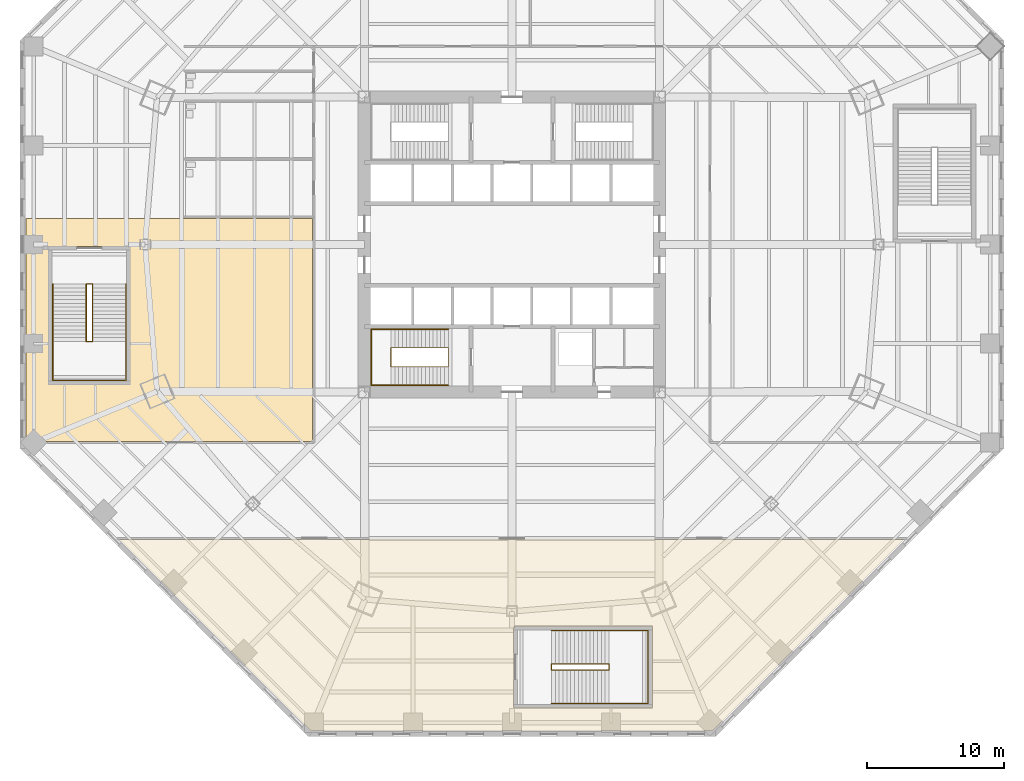
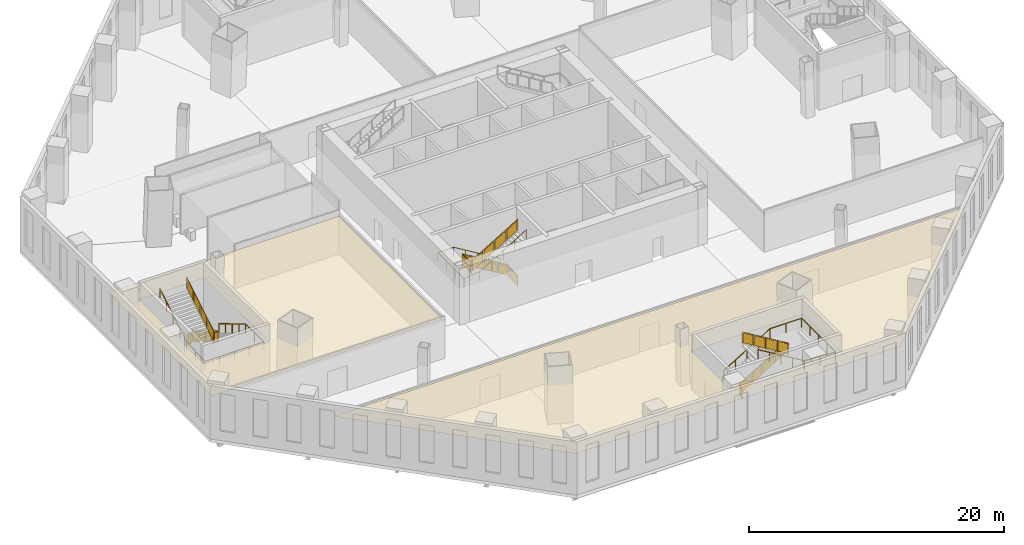
# One storey, part 15 of 18: 6 railings, 2 coverings.
"""IFC4 building model written with IfcOpenShell, lengths in metres."""

from ifc_helpers import new_model, si_unit, direction, frame, origin, origin_2d, place, context, subcontext, project, spatial, polyline, circle, outline, extrude, material, layer, layer_set, type_object, element, save


model = new_model("IFC4")

# Units and contexts
model_context = context("Model", 3, precision=1e-05, world=origin(), true_north=direction((0.0, 1.0)))
body_context = subcontext(model_context, "Body", "Model", "MODEL_VIEW")
ifc_project = project(units=[si_unit("LENGTHUNIT", "METRE"), si_unit("AREAUNIT", "SQUARE_METRE"), si_unit("VOLUMEUNIT", "CUBIC_METRE"), si_unit("PLANEANGLEUNIT", "RADIAN"), si_unit("MASSUNIT", "GRAM", prefix="KILO")], contexts=[model_context])

# Site, building, storey
site_placement = place(None, origin())
site = spatial("IfcSite", under=ifc_project, at=site_placement, CompositionType="ELEMENT")
building_placement = place(site_placement, origin())
building = spatial("IfcBuilding", under=site, at=building_placement, Name="Mashrafa Tower", CompositionType="ELEMENT")
storey_placement = place(building_placement, frame((0.0, 0.0, 13.199951171875)))
storey = spatial("IfcBuildingStorey", under=building, at=storey_placement, Name="L02", CompositionType="ELEMENT", Elevation=13.199951171875)

# Railings
ifc_material_1 = material(Name="Steel guard with glass infill", Category="steel")
railing_type_1 = type_object("IfcRailingType", Name="Stair guard 1100", PredefinedType="GUARDRAIL", material=ifc_material_1)
railing_1_placement = place(storey_placement, frame((-4.64990234375, -8.949951171875, 0.0)))
element("IfcRailing", 1, at=railing_1_placement, inside=storey, type_object=railing_type_1, Name="Stair S3 guard L02", PredefinedType="GUARDRAIL", context=body_context, shape_type="SweptSolid", body=[
    extrude(circle(Radius=0.02392578125, at=origin_2d()), frame((0.0, 0.0, 1.076171875), z_axis=(0.0, 1.0, 0.0), x_axis=(-1.0, 0.0, 0.0)), (0.0, 0.0, 1.0), 1.39990234375),
    extrude(circle(Radius=0.02392578125, at=origin_2d()), frame((0.0, 1.39990234375, 1.076171875), z_axis=(0.0, 0.0, 1.0), x_axis=(1.0, 0.0, 0.0)), (0.0, 0.0, 1.0), 0.168701171875),
    extrude(circle(Radius=0.02392578125, at=origin_2d()), frame((0.0, 1.39990234375, 1.24462890625), z_axis=(-0.856489757249, 0.0, 0.516164020179), x_axis=(0.0, -1.0, 0.0)), (0.0, 0.0, 1.0), 4.904052734375),
    extrude(circle(Radius=0.02392578125, at=origin_2d()), frame((-4.2001953125, 1.39990234375, 3.77587890625), z_axis=(0.0, -1.0, 0.0), x_axis=(1.0, 0.0, 0.0)), (0.0, 0.0, 1.0), 1.39990234375),
    extrude(circle(Radius=0.02392578125, at=origin_2d()), frame((-4.2001953125, 0.0, 3.77587890625), z_axis=(0.0, 0.0, 1.0), x_axis=(1.0, 0.0, 0.0)), (0.0, 0.0, 1.0), 0.168701171875),
    extrude(circle(Radius=0.02392578125, at=origin_2d()), frame((-4.2001953125, 0.0, 3.94482421875), z_axis=(0.856467747918, 0.0, 0.516200539303), x_axis=(0.0, 1.0, 0.0)), (0.0, 0.0, 1.0), 4.904052734375),
    extrude(circle(Radius=0.02099609375, at=origin_2d()), origin(), (0.0, 0.0, 1.0), 1.052001953125),
    extrude(circle(Radius=0.02099609375, at=origin_2d()), frame((0.0, 1.39990234375, 0.0)), (0.0, 0.0, 1.0), 1.052001953125),
    extrude(circle(Radius=0.02099609375, at=origin_2d()), frame((0.0, 1.39990234375, 0.168701171875)), (0.0, 0.0, 1.0), 1.052001953125),
    extrude(circle(Radius=0.02099609375, at=origin_2d()), frame((-1.050048828125, 1.39990234375, 0.801513671875)), (0.0, 0.0, 1.0), 1.052001953125),
    extrude(circle(Radius=0.02099609375, at=origin_2d()), frame((-2.10009765625, 1.39990234375, 1.434326171875)), (0.0, 0.0, 1.0), 1.052001953125),
    extrude(circle(Radius=0.02099609375, at=origin_2d()), frame((-3.150146484375, 1.39990234375, 2.067138671875)), (0.0, 0.0, 1.0), 1.052001953125),
    extrude(circle(Radius=0.02099609375, at=origin_2d()), frame((-4.2001953125, 1.39990234375, 2.699951171875)), (0.0, 0.0, 1.0), 1.052001953125),
    extrude(circle(Radius=0.02099609375, at=origin_2d()), frame((-4.2001953125, 0.0, 2.699951171875)), (0.0, 0.0, 1.0), 1.052001953125),
    extrude(circle(Radius=0.02099609375, at=origin_2d()), frame((-4.2001953125, 0.0, 2.86865234375)), (0.0, 0.0, 1.0), 1.052001953125),
    extrude(circle(Radius=0.02099609375, at=origin_2d()), frame((-3.150146484375, 0.0, 3.50146484375)), (0.0, 0.0, 1.0), 1.052001953125),
    extrude(circle(Radius=0.02099609375, at=origin_2d()), frame((-2.10009765625, 0.0, 4.13427734375)), (0.0, 0.0, 1.0), 1.052001953125),
    extrude(circle(Radius=0.02099609375, at=origin_2d()), frame((-1.050048828125, 0.0, 4.767333984375)), (0.0, 0.0, 1.0), 1.052001953125),
    extrude(circle(Radius=0.02099609375, at=origin_2d()), frame((0.0, 0.0, 5.400146484375)), (0.0, 0.0, 1.0), 1.052001953125),
    extrude(outline(polyline([(0.071044921875, 0.050048828125), (1.328857421875, 0.050048828125), (1.328857421875, 1.001953125), (0.071044921875, 1.001953125), (0.071044921875, 0.050048828125)])), frame((0.006103515625, 0.0, 0.0), z_axis=(1.0, 0.0, 0.0), x_axis=(0.0, 1.0, 0.0)), (0.0, 0.0, 1.0), 0.011962890625),
    extrude(outline(polyline([(0.071044921875, 0.0927734375), (0.97900390625, 0.64013671875), (0.97900390625, 1.592041015625), (0.071044921875, 1.044677734375), (0.071044921875, 0.0927734375)])), frame((0.0, 1.406005859375, 0.168701171875), z_axis=(0.0, 1.0, 0.0), x_axis=(-1.0, 0.0, 0.0)), (0.0, 0.0, 1.0), 0.011962890625),
    extrude(outline(polyline([(1.12109375, 0.7255859375), (2.029052734375, 1.27294921875), (2.029052734375, 2.224853515625), (1.12109375, 1.677490234375), (1.12109375, 0.7255859375)])), frame((0.0, 1.406005859375, 0.168701171875), z_axis=(0.0, 1.0, 0.0), x_axis=(-1.0, 0.0, 0.0)), (0.0, 0.0, 1.0), 0.011962890625),
    extrude(outline(polyline([(2.171142578125, 1.3583984375), (3.0791015625, 1.90576171875), (3.0791015625, 2.857666015625), (2.171142578125, 2.310302734375), (2.171142578125, 1.3583984375)])), frame((0.0, 1.406005859375, 0.168701171875), z_axis=(0.0, 1.0, 0.0), x_axis=(-1.0, 0.0, 0.0)), (0.0, 0.0, 1.0), 0.011962890625),
    extrude(outline(polyline([(3.22119140625, 1.9912109375), (4.129150390625, 2.53857421875), (4.129150390625, 3.490478515625), (3.22119140625, 2.943115234375), (3.22119140625, 1.9912109375)])), frame((0.0, 1.406005859375, 0.168701171875), z_axis=(0.0, 1.0, 0.0), x_axis=(-1.0, 0.0, 0.0)), (0.0, 0.0, 1.0), 0.011962890625),
    extrude(outline(polyline([(0.071044921875, 0.050048828125), (1.328857421875, 0.050048828125), (1.328857421875, 1.001953125), (0.071044921875, 1.001953125), (0.071044921875, 0.050048828125)])), frame((-4.206298828125, 1.39990234375, 2.699951171875), z_axis=(-1.0, 0.0, 0.0), x_axis=(0.0, -1.0, 0.0)), (0.0, 0.0, 1.0), 0.011962890625),
    extrude(outline(polyline([(0.071044921875, 0.0927734375), (0.97900390625, 0.64013671875), (0.97900390625, 1.592041015625), (0.071044921875, 1.044677734375), (0.071044921875, 0.0927734375)])), frame((-4.2001953125, -0.006103515625, 2.86865234375), z_axis=(0.0, -1.0, 0.0), x_axis=(1.0, 0.0, 0.0)), (0.0, 0.0, 1.0), 0.011962890625),
    extrude(outline(polyline([(1.12109375, 0.7255859375), (2.029052734375, 1.27294921875), (2.029052734375, 2.224853515625), (1.12109375, 1.677734375), (1.12109375, 0.7255859375)])), frame((-4.2001953125, -0.006103515625, 2.86865234375), z_axis=(0.0, -1.0, 0.0), x_axis=(1.0, 0.0, 0.0)), (0.0, 0.0, 1.0), 0.011962890625),
    extrude(outline(polyline([(2.171142578125, 1.358642578125), (3.0791015625, 1.90576171875), (3.0791015625, 2.85791015625), (2.171142578125, 2.310546875), (2.171142578125, 1.358642578125)])), frame((-4.2001953125, -0.006103515625, 2.86865234375), z_axis=(0.0, -1.0, 0.0), x_axis=(1.0, 0.0, 0.0)), (0.0, 0.0, 1.0), 0.011962890625),
    extrude(outline(polyline([(3.22119140625, 1.991455078125), (4.129150390625, 2.538818359375), (4.129150390625, 3.49072265625), (3.22119140625, 2.943359375), (3.22119140625, 1.991455078125)])), frame((-4.2001953125, -0.006103515625, 2.86865234375), z_axis=(0.0, -1.0, 0.0), x_axis=(1.0, 0.0, 0.0)), (0.0, 0.0, 1.0), 0.011962890625),
])
railing_2_placement = place(storey_placement, frame((-31.14990234375, -2.89990234375, 0.0)))
element("IfcRailing", 2, at=railing_2_placement, inside=storey, type_object=railing_type_1, Name="Stair P3 guard L02", PredefinedType="GUARDRAIL", context=body_context, shape_type="SweptSolid", body=[
    extrude(circle(Radius=0.02392578125, at=origin_2d()), frame((0.0, 0.0, 1.076171875), z_axis=(1.0, 0.0, 0.0), x_axis=(0.0, 1.0, 0.0)), (0.0, 0.0, 1.0), 0.449951171875),
    extrude(circle(Radius=0.02392578125, at=origin_2d()), frame((0.449951171875, 0.0, 1.076171875), z_axis=(0.0, 0.0, 1.0), x_axis=(1.0, 0.0, 0.0)), (0.0, 0.0, 1.0), 0.168701171875),
    extrude(circle(Radius=0.02392578125, at=origin_2d()), frame((0.449951171875, 0.0, 1.24462890625), z_axis=(0.0, -0.856489757249, 0.516164020179), x_axis=(1.0, 0.0, 0.0)), (0.0, 0.0, 1.0), 4.904052734375),
    extrude(circle(Radius=0.02392578125, at=origin_2d()), frame((0.449951171875, -4.2001953125, 3.77587890625), z_axis=(-1.0, 0.0, 0.0), x_axis=(0.0, -1.0, 0.0)), (0.0, 0.0, 1.0), 0.449951171875),
    extrude(circle(Radius=0.02392578125, at=origin_2d()), frame((0.0, -4.2001953125, 3.77587890625), z_axis=(0.0, 0.0, 1.0), x_axis=(1.0, 0.0, 0.0)), (0.0, 0.0, 1.0), 0.168701171875),
    extrude(circle(Radius=0.02392578125, at=origin_2d()), frame((0.0, -4.2001953125, 3.94482421875), z_axis=(0.0, 0.856467747918, 0.516200539303), x_axis=(-1.0, 0.0, 0.0)), (0.0, 0.0, 1.0), 4.904052734375),
    extrude(circle(Radius=0.02099609375, at=origin_2d()), origin(), (0.0, 0.0, 1.0), 1.052001953125),
    extrude(circle(Radius=0.02099609375, at=origin_2d()), frame((0.449951171875, 0.0, 0.0)), (0.0, 0.0, 1.0), 1.052001953125),
    extrude(circle(Radius=0.02099609375, at=origin_2d()), frame((0.449951171875, 0.0, 0.168701171875)), (0.0, 0.0, 1.0), 1.052001953125),
    extrude(circle(Radius=0.02099609375, at=origin_2d()), frame((0.449951171875, -1.050048828125, 0.801513671875)), (0.0, 0.0, 1.0), 1.052001953125),
    extrude(circle(Radius=0.02099609375, at=origin_2d()), frame((0.449951171875, -2.10009765625, 1.434326171875)), (0.0, 0.0, 1.0), 1.052001953125),
    extrude(circle(Radius=0.02099609375, at=origin_2d()), frame((0.449951171875, -3.150146484375, 2.067138671875)), (0.0, 0.0, 1.0), 1.052001953125),
    extrude(circle(Radius=0.02099609375, at=origin_2d()), frame((0.449951171875, -4.2001953125, 2.699951171875)), (0.0, 0.0, 1.0), 1.052001953125),
    extrude(circle(Radius=0.02099609375, at=origin_2d()), frame((0.0, -4.2001953125, 2.699951171875)), (0.0, 0.0, 1.0), 1.052001953125),
    extrude(circle(Radius=0.02099609375, at=origin_2d()), frame((0.0, -4.2001953125, 2.86865234375)), (0.0, 0.0, 1.0), 1.052001953125),
    extrude(circle(Radius=0.02099609375, at=origin_2d()), frame((0.0, -3.150146484375, 3.50146484375)), (0.0, 0.0, 1.0), 1.052001953125),
    extrude(circle(Radius=0.02099609375, at=origin_2d()), frame((0.0, -2.10009765625, 4.13427734375)), (0.0, 0.0, 1.0), 1.052001953125),
    extrude(circle(Radius=0.02099609375, at=origin_2d()), frame((0.0, -1.050048828125, 4.767333984375)), (0.0, 0.0, 1.0), 1.052001953125),
    extrude(circle(Radius=0.02099609375, at=origin_2d()), frame((0.0, 0.0, 5.400146484375)), (0.0, 0.0, 1.0), 1.052001953125),
    extrude(outline(polyline([(0.071044921875, 0.050048828125), (0.37890625, 0.050048828125), (0.37890625, 1.001953125), (0.071044921875, 1.001953125), (0.071044921875, 0.050048828125)])), frame((0.0, -0.006103515625, 0.0), z_axis=(0.0, -1.0, 0.0), x_axis=(1.0, 0.0, 0.0)), (0.0, 0.0, 1.0), 0.011962890625),
    extrude(outline(polyline([(0.071044921875, 0.0927734375), (0.97900390625, 0.64013671875), (0.97900390625, 1.592041015625), (0.071044921875, 1.044677734375), (0.071044921875, 0.0927734375)])), frame((0.44384765625, 0.0, 0.168701171875), z_axis=(-1.0, 0.0, 0.0), x_axis=(0.0, -1.0, 0.0)), (0.0, 0.0, 1.0), 0.011962890625),
    extrude(outline(polyline([(1.12109375, 0.7255859375), (2.029052734375, 1.27294921875), (2.029052734375, 2.224853515625), (1.12109375, 1.677490234375), (1.12109375, 0.7255859375)])), frame((0.44384765625, 0.0, 0.168701171875), z_axis=(-1.0, 0.0, 0.0), x_axis=(0.0, -1.0, 0.0)), (0.0, 0.0, 1.0), 0.011962890625),
    extrude(outline(polyline([(2.171142578125, 1.3583984375), (3.0791015625, 1.90576171875), (3.0791015625, 2.857666015625), (2.171142578125, 2.310302734375), (2.171142578125, 1.3583984375)])), frame((0.44384765625, 0.0, 0.168701171875), z_axis=(-1.0, 0.0, 0.0), x_axis=(0.0, -1.0, 0.0)), (0.0, 0.0, 1.0), 0.011962890625),
    extrude(outline(polyline([(3.22119140625, 1.9912109375), (4.129150390625, 2.53857421875), (4.129150390625, 3.490478515625), (3.22119140625, 2.943115234375), (3.22119140625, 1.9912109375)])), frame((0.44384765625, 0.0, 0.168701171875), z_axis=(-1.0, 0.0, 0.0), x_axis=(0.0, -1.0, 0.0)), (0.0, 0.0, 1.0), 0.011962890625),
    extrude(outline(polyline([(0.071044921875, 0.050048828125), (0.37890625, 0.050048828125), (0.37890625, 1.001953125), (0.071044921875, 1.001953125), (0.071044921875, 0.050048828125)])), frame((0.449951171875, -4.194091796875, 2.699951171875), z_axis=(0.0, 1.0, 0.0), x_axis=(-1.0, 0.0, 0.0)), (0.0, 0.0, 1.0), 0.011962890625),
    extrude(outline(polyline([(0.071044921875, 0.0927734375), (0.97900390625, 0.64013671875), (0.97900390625, 1.592041015625), (0.071044921875, 1.044677734375), (0.071044921875, 0.0927734375)])), frame((0.006103515625, -4.2001953125, 2.86865234375), z_axis=(1.0, 0.0, 0.0), x_axis=(0.0, 1.0, 0.0)), (0.0, 0.0, 1.0), 0.011962890625),
    extrude(outline(polyline([(1.12109375, 0.7255859375), (2.029052734375, 1.27294921875), (2.029052734375, 2.224853515625), (1.12109375, 1.677734375), (1.12109375, 0.7255859375)])), frame((0.006103515625, -4.2001953125, 2.86865234375), z_axis=(1.0, 0.0, 0.0), x_axis=(0.0, 1.0, 0.0)), (0.0, 0.0, 1.0), 0.011962890625),
    extrude(outline(polyline([(2.171142578125, 1.358642578125), (3.0791015625, 1.90576171875), (3.0791015625, 2.85791015625), (2.171142578125, 2.310546875), (2.171142578125, 1.358642578125)])), frame((0.006103515625, -4.2001953125, 2.86865234375), z_axis=(1.0, 0.0, 0.0), x_axis=(0.0, 1.0, 0.0)), (0.0, 0.0, 1.0), 0.011962890625),
    extrude(outline(polyline([(3.22119140625, 1.991455078125), (4.129150390625, 2.538818359375), (4.129150390625, 3.49072265625), (3.22119140625, 2.943359375), (3.22119140625, 1.991455078125)])), frame((0.006103515625, -4.2001953125, 2.86865234375), z_axis=(1.0, 0.0, 0.0), x_axis=(0.0, 1.0, 0.0)), (0.0, 0.0, 1.0), 0.011962890625),
])
railing_3_placement = place(storey_placement, frame((2.89990234375, -31.14990234375, 0.0)))
element("IfcRailing", 3, at=railing_3_placement, inside=storey, type_object=railing_type_1, Name="Stair P4 guard L02", PredefinedType="GUARDRAIL", context=body_context, shape_type="SweptSolid", body=[
    extrude(circle(Radius=0.02392578125, at=origin_2d()), frame((0.0, 0.0, 1.076171875), z_axis=(0.0, 1.0, 0.0), x_axis=(-1.0, 0.0, 0.0)), (0.0, 0.0, 1.0), 0.449951171875),
    extrude(circle(Radius=0.02392578125, at=origin_2d()), frame((0.0, 0.449951171875, 1.076171875), z_axis=(0.0, 0.0, 1.0), x_axis=(1.0, 0.0, 0.0)), (0.0, 0.0, 1.0), 0.168701171875),
    extrude(circle(Radius=0.02392578125, at=origin_2d()), frame((0.0, 0.449951171875, 1.24462890625), z_axis=(0.856489757249, 0.0, 0.516164020179), x_axis=(0.0, 1.0, 0.0)), (0.0, 0.0, 1.0), 4.904052734375),
    extrude(circle(Radius=0.02392578125, at=origin_2d()), frame((4.2001953125, 0.449951171875, 3.77587890625), z_axis=(0.0, -1.0, 0.0), x_axis=(1.0, 0.0, 0.0)), (0.0, 0.0, 1.0), 0.449951171875),
    extrude(circle(Radius=0.02392578125, at=origin_2d()), frame((4.2001953125, 0.0, 3.77587890625), z_axis=(0.0, 0.0, 1.0), x_axis=(1.0, 0.0, 0.0)), (0.0, 0.0, 1.0), 0.168701171875),
    extrude(circle(Radius=0.02392578125, at=origin_2d()), frame((4.2001953125, 0.0, 3.94482421875), z_axis=(-0.856467747918, 0.0, 0.516200539303), x_axis=(0.0, -1.0, 0.0)), (0.0, 0.0, 1.0), 4.904052734375),
    extrude(circle(Radius=0.02099609375, at=origin_2d()), origin(), (0.0, 0.0, 1.0), 1.052001953125),
    extrude(circle(Radius=0.02099609375, at=origin_2d()), frame((0.0, 0.449951171875, 0.0)), (0.0, 0.0, 1.0), 1.052001953125),
    extrude(circle(Radius=0.02099609375, at=origin_2d()), frame((0.0, 0.449951171875, 0.168701171875)), (0.0, 0.0, 1.0), 1.052001953125),
    extrude(circle(Radius=0.02099609375, at=origin_2d()), frame((1.050048828125, 0.449951171875, 0.801513671875)), (0.0, 0.0, 1.0), 1.052001953125),
    extrude(circle(Radius=0.02099609375, at=origin_2d()), frame((2.10009765625, 0.449951171875, 1.434326171875)), (0.0, 0.0, 1.0), 1.052001953125),
    extrude(circle(Radius=0.02099609375, at=origin_2d()), frame((3.150146484375, 0.449951171875, 2.067138671875)), (0.0, 0.0, 1.0), 1.052001953125),
    extrude(circle(Radius=0.02099609375, at=origin_2d()), frame((4.2001953125, 0.449951171875, 2.699951171875)), (0.0, 0.0, 1.0), 1.052001953125),
    extrude(circle(Radius=0.02099609375, at=origin_2d()), frame((4.2001953125, 0.0, 2.699951171875)), (0.0, 0.0, 1.0), 1.052001953125),
    extrude(circle(Radius=0.02099609375, at=origin_2d()), frame((4.2001953125, 0.0, 2.86865234375)), (0.0, 0.0, 1.0), 1.052001953125),
    extrude(circle(Radius=0.02099609375, at=origin_2d()), frame((3.150146484375, 0.0, 3.50146484375)), (0.0, 0.0, 1.0), 1.052001953125),
    extrude(circle(Radius=0.02099609375, at=origin_2d()), frame((2.10009765625, 0.0, 4.13427734375)), (0.0, 0.0, 1.0), 1.052001953125),
    extrude(circle(Radius=0.02099609375, at=origin_2d()), frame((1.050048828125, 0.0, 4.767333984375)), (0.0, 0.0, 1.0), 1.052001953125),
    extrude(circle(Radius=0.02099609375, at=origin_2d()), frame((0.0, 0.0, 5.400146484375)), (0.0, 0.0, 1.0), 1.052001953125),
    extrude(outline(polyline([(0.071044921875, 0.050048828125), (0.37890625, 0.050048828125), (0.37890625, 1.001953125), (0.071044921875, 1.001953125), (0.071044921875, 0.050048828125)])), frame((0.006103515625, 0.0, 0.0), z_axis=(1.0, 0.0, 0.0), x_axis=(0.0, 1.0, 0.0)), (0.0, 0.0, 1.0), 0.011962890625),
    extrude(outline(polyline([(0.071044921875, 0.0927734375), (0.97900390625, 0.64013671875), (0.97900390625, 1.592041015625), (0.071044921875, 1.044677734375), (0.071044921875, 0.0927734375)])), frame((0.0, 0.44384765625, 0.168701171875), z_axis=(0.0, -1.0, 0.0), x_axis=(1.0, 0.0, 0.0)), (0.0, 0.0, 1.0), 0.011962890625),
    extrude(outline(polyline([(1.12109375, 0.7255859375), (2.029052734375, 1.27294921875), (2.029052734375, 2.224853515625), (1.12109375, 1.677490234375), (1.12109375, 0.7255859375)])), frame((0.0, 0.44384765625, 0.168701171875), z_axis=(0.0, -1.0, 0.0), x_axis=(1.0, 0.0, 0.0)), (0.0, 0.0, 1.0), 0.011962890625),
    extrude(outline(polyline([(2.171142578125, 1.3583984375), (3.0791015625, 1.90576171875), (3.0791015625, 2.857666015625), (2.171142578125, 2.310302734375), (2.171142578125, 1.3583984375)])), frame((0.0, 0.44384765625, 0.168701171875), z_axis=(0.0, -1.0, 0.0), x_axis=(1.0, 0.0, 0.0)), (0.0, 0.0, 1.0), 0.011962890625),
    extrude(outline(polyline([(3.22119140625, 1.9912109375), (4.129150390625, 2.53857421875), (4.129150390625, 3.490478515625), (3.22119140625, 2.943115234375), (3.22119140625, 1.9912109375)])), frame((0.0, 0.44384765625, 0.168701171875), z_axis=(0.0, -1.0, 0.0), x_axis=(1.0, 0.0, 0.0)), (0.0, 0.0, 1.0), 0.011962890625),
    extrude(outline(polyline([(0.071044921875, 0.050048828125), (0.37890625, 0.050048828125), (0.37890625, 1.001953125), (0.071044921875, 1.001953125), (0.071044921875, 0.050048828125)])), frame((4.194091796875, 0.449951171875, 2.699951171875), z_axis=(-1.0, 0.0, 0.0), x_axis=(0.0, -1.0, 0.0)), (0.0, 0.0, 1.0), 0.011962890625),
    extrude(outline(polyline([(0.071044921875, 0.0927734375), (0.97900390625, 0.64013671875), (0.97900390625, 1.592041015625), (0.071044921875, 1.044677734375), (0.071044921875, 0.0927734375)])), frame((4.2001953125, 0.006103515625, 2.86865234375), z_axis=(0.0, 1.0, 0.0), x_axis=(-1.0, 0.0, 0.0)), (0.0, 0.0, 1.0), 0.011962890625),
    extrude(outline(polyline([(1.12109375, 0.7255859375), (2.029052734375, 1.27294921875), (2.029052734375, 2.224853515625), (1.12109375, 1.677734375), (1.12109375, 0.7255859375)])), frame((4.2001953125, 0.006103515625, 2.86865234375), z_axis=(0.0, 1.0, 0.0), x_axis=(-1.0, 0.0, 0.0)), (0.0, 0.0, 1.0), 0.011962890625),
    extrude(outline(polyline([(2.171142578125, 1.358642578125), (3.0791015625, 1.90576171875), (3.0791015625, 2.85791015625), (2.171142578125, 2.310546875), (2.171142578125, 1.358642578125)])), frame((4.2001953125, 0.006103515625, 2.86865234375), z_axis=(0.0, 1.0, 0.0), x_axis=(-1.0, 0.0, 0.0)), (0.0, 0.0, 1.0), 0.011962890625),
    extrude(outline(polyline([(3.22119140625, 1.991455078125), (4.129150390625, 2.538818359375), (4.129150390625, 3.49072265625), (3.22119140625, 2.943359375), (3.22119140625, 1.991455078125)])), frame((4.2001953125, 0.006103515625, 2.86865234375), z_axis=(0.0, 1.0, 0.0), x_axis=(-1.0, 0.0, 0.0)), (0.0, 0.0, 1.0), 0.011962890625),
])
ifc_material_2 = material(Name="Steel", Category="steel")
railing_type_2 = type_object("IfcRailingType", Name="Stair handrail 900", PredefinedType="HANDRAIL", material=ifc_material_2)
railing_4_placement = place(storey_placement, frame((-4.64990234375, -6.199951171875, 0.168701171875)))
element("IfcRailing", 4, at=railing_4_placement, inside=storey, type_object=railing_type_2, Name="Stair S3 handrail L02", PredefinedType="HANDRAIL", context=body_context, shape_type="SweptSolid", body=[
    extrude(circle(Radius=0.02392578125, at=origin_2d()), frame((0.0, 0.0, 0.8759765625), z_axis=(-0.856489757249, 0.0, 0.516164020179), x_axis=(0.0, -1.0, 0.0)), (0.0, 0.0, 1.0), 4.904052734375),
    extrude(circle(Radius=0.02392578125, at=origin_2d()), frame((-4.2001953125, 0.0, 3.4072265625), z_axis=(-1.0, 0.0, 0.0), x_axis=(0.0, -1.0, 0.0)), (0.0, 0.0, 1.0), 1.449951171875),
    extrude(circle(Radius=0.02392578125, at=origin_2d()), frame((-5.650146484375, 0.0, 3.4072265625), z_axis=(0.0, -1.0, 0.0), x_axis=(1.0, 0.0, 0.0)), (0.0, 0.0, 1.0), 4.10009765625),
    extrude(circle(Radius=0.02392578125, at=origin_2d()), frame((-5.650146484375, -4.10009765625, 3.4072265625), z_axis=(0.993299345603, 0.0, 0.115569935648), x_axis=(0.0, 1.0, 0.0)), (0.0, 0.0, 1.0), 1.459716796875),
    extrude(circle(Radius=0.02392578125, at=origin_2d()), frame((-4.2001953125, -4.10009765625, 3.57568359375), z_axis=(0.856467747918, 0.0, 0.516200539303), x_axis=(0.0, 1.0, 0.0)), (0.0, 0.0, 1.0), 4.904052734375),
    extrude(circle(Radius=0.02099609375, at=origin_2d()), origin(), (0.0, 0.0, 1.0), 0.851806640625),
    extrude(circle(Radius=0.02099609375, at=origin_2d()), frame((-1.050048828125, 0.0, 0.6328125)), (0.0, 0.0, 1.0), 0.851806640625),
    extrude(circle(Radius=0.02099609375, at=origin_2d()), frame((-2.10009765625, 0.0, 1.265625)), (0.0, 0.0, 1.0), 0.851806640625),
    extrude(circle(Radius=0.02099609375, at=origin_2d()), frame((-3.150146484375, 0.0, 1.8984375)), (0.0, 0.0, 1.0), 0.851806640625),
    extrude(circle(Radius=0.02099609375, at=origin_2d()), frame((-4.2001953125, 0.0, 2.53125)), (0.0, 0.0, 1.0), 0.851806640625),
    extrude(circle(Radius=0.02099609375, at=origin_2d()), frame((-5.650146484375, 0.0, 2.53125)), (0.0, 0.0, 1.0), 0.851806640625),
    extrude(circle(Radius=0.02099609375, at=origin_2d()), frame((-5.650146484375, -1.36669921875, 2.53125)), (0.0, 0.0, 1.0), 0.851806640625),
    extrude(circle(Radius=0.02099609375, at=origin_2d()), frame((-5.650146484375, -2.7333984375, 2.53125)), (0.0, 0.0, 1.0), 0.851806640625),
    extrude(circle(Radius=0.02099609375, at=origin_2d()), frame((-5.650146484375, -4.10009765625, 2.53125)), (0.0, 0.0, 1.0), 0.851806640625),
    extrude(circle(Radius=0.02099609375, at=origin_2d()), frame((-4.2001953125, -4.10009765625, 2.699951171875)), (0.0, 0.0, 1.0), 0.851806640625),
    extrude(circle(Radius=0.02099609375, at=origin_2d()), frame((-3.150146484375, -4.10009765625, 3.332763671875)), (0.0, 0.0, 1.0), 0.851806640625),
    extrude(circle(Radius=0.02099609375, at=origin_2d()), frame((-2.10009765625, -4.10009765625, 3.9658203125)), (0.0, 0.0, 1.0), 0.851806640625),
    extrude(circle(Radius=0.02099609375, at=origin_2d()), frame((-1.050048828125, -4.10009765625, 4.5986328125)), (0.0, 0.0, 1.0), 0.851806640625),
    extrude(circle(Radius=0.02099609375, at=origin_2d()), frame((0.0, -4.10009765625, 5.2314453125)), (0.0, 0.0, 1.0), 0.851806640625),
])
railing_5_placement = place(storey_placement, frame((-28.25, -2.89990234375, 0.168701171875)))
element("IfcRailing", 5, at=railing_5_placement, inside=storey, type_object=railing_type_2, Name="Stair P3 handrail L02", PredefinedType="HANDRAIL", context=body_context, shape_type="SweptSolid", body=[
    extrude(circle(Radius=0.02392578125, at=origin_2d()), frame((0.0, 0.0, 0.8759765625), z_axis=(0.0, -0.856489757249, 0.516164020179), x_axis=(1.0, 0.0, 0.0)), (0.0, 0.0, 1.0), 4.904052734375),
    extrude(circle(Radius=0.02392578125, at=origin_2d()), frame((0.0, -4.2001953125, 3.4072265625), z_axis=(0.0, -1.0, 0.0), x_axis=(1.0, 0.0, 0.0)), (0.0, 0.0, 1.0), 2.849853515625),
    extrude(circle(Radius=0.02392578125, at=origin_2d()), frame((0.0, -7.050048828125, 3.4072265625), z_axis=(-1.0, 0.0, 0.0), x_axis=(0.0, -1.0, 0.0)), (0.0, 0.0, 1.0), 5.35009765625),
    extrude(circle(Radius=0.02392578125, at=origin_2d()), frame((-5.35009765625, -7.050048828125, 3.4072265625), z_axis=(0.0, 0.998252482393, 0.059092989406), x_axis=(-1.0, 0.0, 0.0)), (0.0, 0.0, 1.0), 2.854736328125),
    extrude(circle(Radius=0.02392578125, at=origin_2d()), frame((-5.35009765625, -4.2001953125, 3.57568359375), z_axis=(0.0, 0.856467747918, 0.516200539303), x_axis=(-1.0, 0.0, 0.0)), (0.0, 0.0, 1.0), 4.904052734375),
    extrude(circle(Radius=0.02099609375, at=origin_2d()), origin(), (0.0, 0.0, 1.0), 0.851806640625),
    extrude(circle(Radius=0.02099609375, at=origin_2d()), frame((0.0, -1.050048828125, 0.6328125)), (0.0, 0.0, 1.0), 0.851806640625),
    extrude(circle(Radius=0.02099609375, at=origin_2d()), frame((0.0, -2.10009765625, 1.265625)), (0.0, 0.0, 1.0), 0.851806640625),
    extrude(circle(Radius=0.02099609375, at=origin_2d()), frame((0.0, -3.150146484375, 1.8984375)), (0.0, 0.0, 1.0), 0.851806640625),
    extrude(circle(Radius=0.02099609375, at=origin_2d()), frame((0.0, -4.2001953125, 2.53125)), (0.0, 0.0, 1.0), 0.851806640625),
    extrude(circle(Radius=0.02099609375, at=origin_2d()), frame((0.0, -5.625, 2.53125)), (0.0, 0.0, 1.0), 0.851806640625),
    extrude(circle(Radius=0.02099609375, at=origin_2d()), frame((0.0, -7.050048828125, 2.53125)), (0.0, 0.0, 1.0), 0.851806640625),
    extrude(circle(Radius=0.02099609375, at=origin_2d()), frame((-1.33740234375, -7.050048828125, 2.53125)), (0.0, 0.0, 1.0), 0.851806640625),
    extrude(circle(Radius=0.02099609375, at=origin_2d()), frame((-2.675048828125, -7.050048828125, 2.53125)), (0.0, 0.0, 1.0), 0.851806640625),
    extrude(circle(Radius=0.02099609375, at=origin_2d()), frame((-4.0126953125, -7.050048828125, 2.53125)), (0.0, 0.0, 1.0), 0.851806640625),
    extrude(circle(Radius=0.02099609375, at=origin_2d()), frame((-5.35009765625, -7.050048828125, 2.53125)), (0.0, 0.0, 1.0), 0.851806640625),
    extrude(circle(Radius=0.02099609375, at=origin_2d()), frame((-5.35009765625, -5.625, 2.61572265625)), (0.0, 0.0, 1.0), 0.851806640625),
    extrude(circle(Radius=0.02099609375, at=origin_2d()), frame((-5.35009765625, -4.2001953125, 2.699951171875)), (0.0, 0.0, 1.0), 0.851806640625),
    extrude(circle(Radius=0.02099609375, at=origin_2d()), frame((-5.35009765625, -3.150146484375, 3.332763671875)), (0.0, 0.0, 1.0), 0.851806640625),
    extrude(circle(Radius=0.02099609375, at=origin_2d()), frame((-5.35009765625, -2.10009765625, 3.9658203125)), (0.0, 0.0, 1.0), 0.851806640625),
    extrude(circle(Radius=0.02099609375, at=origin_2d()), frame((-5.35009765625, -1.050048828125, 4.5986328125)), (0.0, 0.0, 1.0), 0.851806640625),
    extrude(circle(Radius=0.02099609375, at=origin_2d()), frame((-5.35009765625, 0.0, 5.2314453125)), (0.0, 0.0, 1.0), 0.851806640625),
])
railing_6_placement = place(storey_placement, frame((2.89990234375, -28.25, 0.168701171875)))
element("IfcRailing", 6, at=railing_6_placement, inside=storey, type_object=railing_type_2, Name="Stair P4 handrail L02", PredefinedType="HANDRAIL", context=body_context, shape_type="SweptSolid", body=[
    extrude(circle(Radius=0.02392578125, at=origin_2d()), frame((0.0, 0.0, 0.8759765625), z_axis=(0.856489757249, 0.0, 0.516164020179), x_axis=(0.0, 1.0, 0.0)), (0.0, 0.0, 1.0), 4.904052734375),
    extrude(circle(Radius=0.02392578125, at=origin_2d()), frame((4.2001953125, 0.0, 3.4072265625), z_axis=(1.0, 0.0, 0.0), x_axis=(0.0, 1.0, 0.0)), (0.0, 0.0, 1.0), 2.849853515625),
    extrude(circle(Radius=0.02392578125, at=origin_2d()), frame((7.050048828125, 0.0, 3.4072265625), z_axis=(0.0, -1.0, 0.0), x_axis=(1.0, 0.0, 0.0)), (0.0, 0.0, 1.0), 5.35009765625),
    extrude(circle(Radius=0.02392578125, at=origin_2d()), frame((7.050048828125, -5.35009765625, 3.4072265625), z_axis=(-0.998252482393, 0.0, 0.059092989406), x_axis=(0.0, -1.0, 0.0)), (0.0, 0.0, 1.0), 2.854736328125),
    extrude(circle(Radius=0.02392578125, at=origin_2d()), frame((4.2001953125, -5.35009765625, 3.57568359375), z_axis=(-0.856467747918, 0.0, 0.516200539303), x_axis=(0.0, -1.0, 0.0)), (0.0, 0.0, 1.0), 4.904052734375),
    extrude(circle(Radius=0.02099609375, at=origin_2d()), origin(), (0.0, 0.0, 1.0), 0.851806640625),
    extrude(circle(Radius=0.02099609375, at=origin_2d()), frame((1.050048828125, 0.0, 0.6328125)), (0.0, 0.0, 1.0), 0.851806640625),
    extrude(circle(Radius=0.02099609375, at=origin_2d()), frame((2.10009765625, 0.0, 1.265625)), (0.0, 0.0, 1.0), 0.851806640625),
    extrude(circle(Radius=0.02099609375, at=origin_2d()), frame((3.150146484375, 0.0, 1.8984375)), (0.0, 0.0, 1.0), 0.851806640625),
    extrude(circle(Radius=0.02099609375, at=origin_2d()), frame((4.2001953125, 0.0, 2.53125)), (0.0, 0.0, 1.0), 0.851806640625),
    extrude(circle(Radius=0.02099609375, at=origin_2d()), frame((5.625, 0.0, 2.53125)), (0.0, 0.0, 1.0), 0.851806640625),
    extrude(circle(Radius=0.02099609375, at=origin_2d()), frame((7.050048828125, 0.0, 2.53125)), (0.0, 0.0, 1.0), 0.851806640625),
    extrude(circle(Radius=0.02099609375, at=origin_2d()), frame((7.050048828125, -1.33740234375, 2.53125)), (0.0, 0.0, 1.0), 0.851806640625),
    extrude(circle(Radius=0.02099609375, at=origin_2d()), frame((7.050048828125, -2.675048828125, 2.53125)), (0.0, 0.0, 1.0), 0.851806640625),
    extrude(circle(Radius=0.02099609375, at=origin_2d()), frame((7.050048828125, -4.0126953125, 2.53125)), (0.0, 0.0, 1.0), 0.851806640625),
    extrude(circle(Radius=0.02099609375, at=origin_2d()), frame((7.050048828125, -5.35009765625, 2.53125)), (0.0, 0.0, 1.0), 0.851806640625),
    extrude(circle(Radius=0.02099609375, at=origin_2d()), frame((5.625, -5.35009765625, 2.61572265625)), (0.0, 0.0, 1.0), 0.851806640625),
    extrude(circle(Radius=0.02099609375, at=origin_2d()), frame((4.2001953125, -5.35009765625, 2.699951171875)), (0.0, 0.0, 1.0), 0.851806640625),
    extrude(circle(Radius=0.02099609375, at=origin_2d()), frame((3.150146484375, -5.35009765625, 3.332763671875)), (0.0, 0.0, 1.0), 0.851806640625),
    extrude(circle(Radius=0.02099609375, at=origin_2d()), frame((2.10009765625, -5.35009765625, 3.9658203125)), (0.0, 0.0, 1.0), 0.851806640625),
    extrude(circle(Radius=0.02099609375, at=origin_2d()), frame((1.050048828125, -5.35009765625, 4.5986328125)), (0.0, 0.0, 1.0), 0.851806640625),
    extrude(circle(Radius=0.02099609375, at=origin_2d()), frame((0.0, -5.35009765625, 5.2314453125)), (0.0, 0.0, 1.0), 0.851806640625),
])

# Coverings
ifc_material_3 = material(Name="Mineral fibre tile on suspension grid")
ifc_layer = layer(ifc_material_3, 0.014892578125)
ifc_layer_set = layer_set([ifc_layer], Name="Suspended ceiling mineral tile 15")
covering_type = type_object("IfcCoveringType", Name="Suspended ceiling mineral tile 15", PredefinedType="CEILING", material=ifc_layer_set)
covering_1_placement = place(storey_placement, frame((0.0, 0.0, 3.650146484375)))
element("IfcCovering", 7, at=covering_1_placement, inside=storey, type_object=covering_type, Name="Ceiling Conference Breakout Room L02", PredefinedType="CEILING", context=body_context, shape_type="SweptSolid", body=[
    extrude(outline(polyline([(-14.60009765625, -14.39990234375), (-35.550048828125, -14.39990234375), (-35.550048828125, 1.89990234375), (-14.60009765625, 1.89990234375), (-14.60009765625, -14.39990234375)]), holes=[polyline([(-27.949951171875, -0.14990234375), (-33.89990234375, -0.14990234375), (-33.89990234375, -10.25), (-27.949951171875, -10.25), (-27.949951171875, -0.14990234375)])]), origin(), (0.0, 0.0, 1.0), 0.014892578125),
])
covering_2_placement = place(storey_placement, frame((0.0, 0.0, 3.650146484375)))
element("IfcCovering", 8, at=covering_2_placement, inside=storey, type_object=covering_type, Name="Ceiling Conference Hall L02", PredefinedType="CEILING", context=body_context, shape_type="SweptSolid", body=[
    extrude(outline(polyline([(14.725341796875, -35.550048828125), (-14.725341796875, -35.550048828125), (-28.67529296875, -21.60009765625), (28.67529296875, -21.60009765625), (14.725341796875, -35.550048828125)]), holes=[polyline([(0.14990234375, -27.949951171875), (0.14990234375, -33.89990234375), (10.25, -33.89990234375), (10.25, -27.949951171875), (0.14990234375, -27.949951171875)])]), origin(), (0.0, 0.0, 1.0), 0.014892578125),
])

save(model, "model.ifc")
